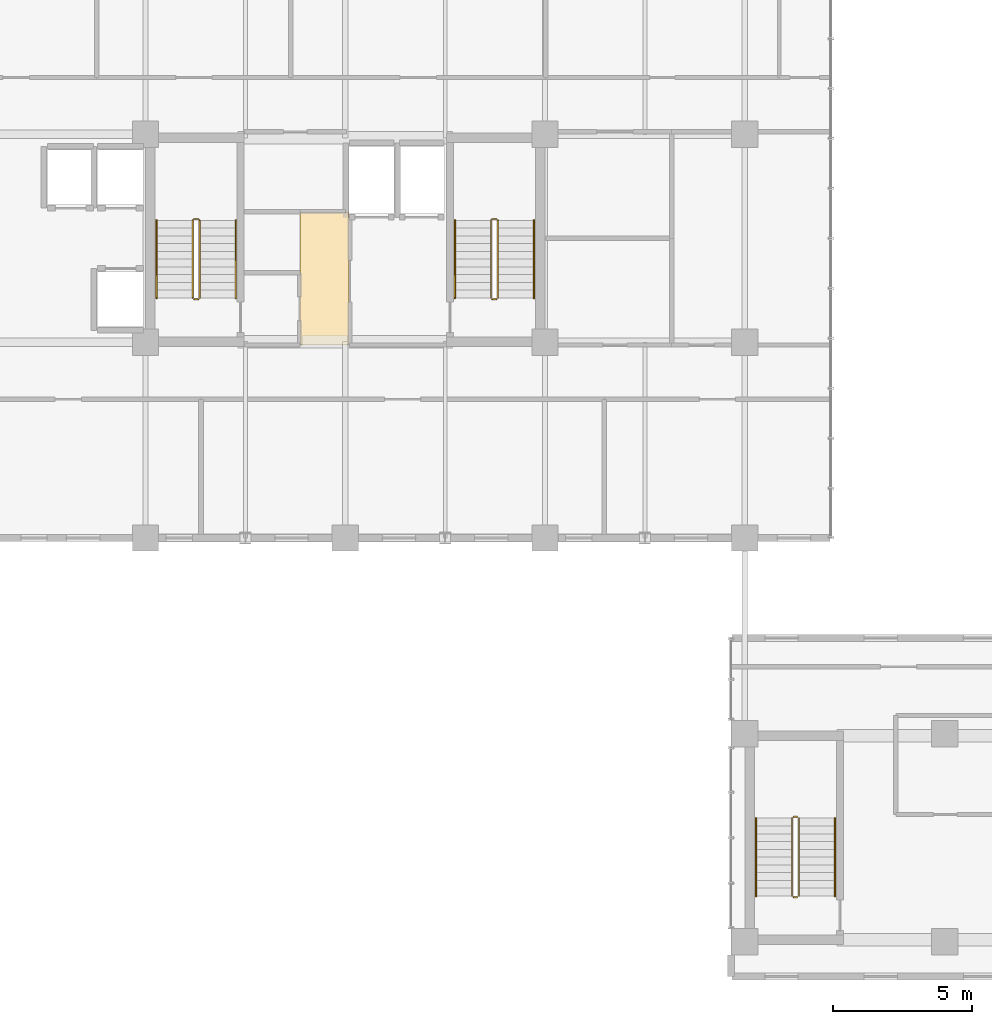
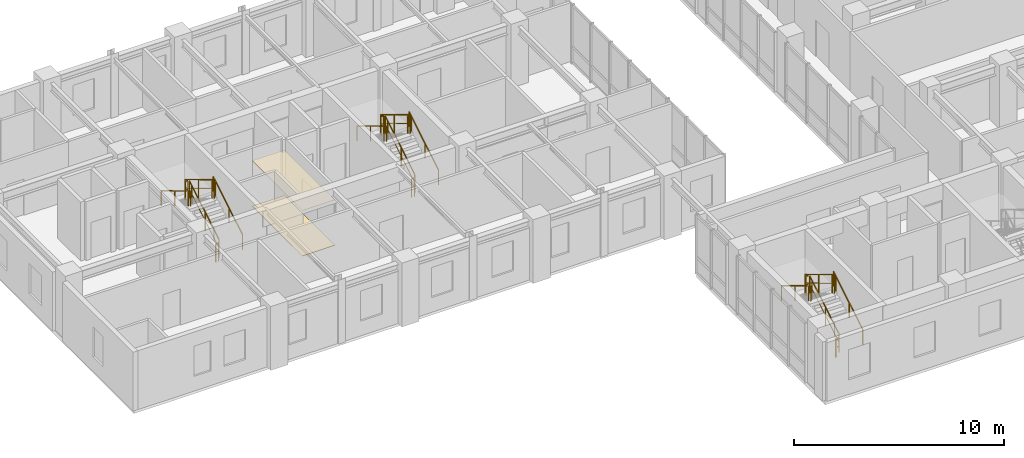
# One storey, part 22 of 24: 18 railings, 2 coverings.
"""IFC4 building model written with IfcOpenShell, lengths in metres."""

from ifc_helpers import new_model, si_unit, direction, frame, origin, origin_2d, place, context, subcontext, project, spatial, rectangle, extrude, source, transform, mapped, material, layer, layer_set, type_object, element, save


model = new_model("IFC4")

# Units and contexts
model_context = context("Model", 3, precision=1e-05, world=origin(), true_north=direction((0.0, 1.0)))
body_context = subcontext(model_context, "Body", "Model", "MODEL_VIEW")
ifc_project = project(units=[si_unit("LENGTHUNIT", "METRE"), si_unit("AREAUNIT", "SQUARE_METRE"), si_unit("VOLUMEUNIT", "CUBIC_METRE"), si_unit("PLANEANGLEUNIT", "RADIAN"), si_unit("MASSUNIT", "GRAM", prefix="KILO")], contexts=[model_context])

# Site, building, storey
site_placement = place(None, origin())
site = spatial("IfcSite", under=ifc_project, at=site_placement, CompositionType="ELEMENT")
building_placement = place(site_placement, origin())
building = spatial("IfcBuilding", under=site, at=building_placement, Name="Kaliganga Portal Commons", CompositionType="ELEMENT")
storey_placement = place(building_placement, frame((0.0, 0.0, 238.800048828125)))
storey = spatial("IfcBuildingStorey", under=building, at=storey_placement, Name="L61", CompositionType="ELEMENT", Elevation=238.800048828125)

# Railings
ifc_material_1 = material(Name="Galvanized Painted Steel Balustrade", Category="steel")
railing_type_1 = type_object("IfcRailingType", Name="RLG-STAIR-GRD", PredefinedType="GUARDRAIL", material=ifc_material_1)
railing_1_placement = place(storey_placement, frame((16.35009765625, 30.25, 0.168212890625)))
element("IfcRailing", 1, at=railing_1_placement, inside=storey, type_object=railing_type_1, Name="L61 ST-A1 stair guard 1", PredefinedType="GUARDRAIL", context=body_context, shape_type="SweptSolid", body=[
    extrude(rectangle(XDim=0.048095703125, YDim=0.048095703125, at=origin_2d()), frame((0.0, 0.0, 1.072021484375), z_axis=(0.0, 0.857275202839, 0.514858452973), x_axis=(-1.0, 0.0, 0.0)), (0.0, 0.0, 1.0), 3.26611328125),
    extrude(rectangle(XDim=0.028076171875, YDim=0.028076171875, at=origin_2d()), frame((0.0, 0.0, 0.572021484375), z_axis=(0.0, 0.857275202839, 0.514858452973), x_axis=(-1.0, 0.0, 0.0)), (0.0, 0.0, 1.0), 3.26611328125),
    extrude(rectangle(XDim=0.0419921875, YDim=0.0419921875, at=origin_2d()), origin(), (0.0, 0.0, 1.0), 1.052001953125),
    extrude(rectangle(XDim=0.0419921875, YDim=0.0419921875, at=origin_2d()), frame((0.0, 1.285888671875, 0.772216796875)), (0.0, 0.0, 1.0), 1.052001953125),
    extrude(rectangle(XDim=0.0419921875, YDim=0.0419921875, at=origin_2d()), frame((0.0, 2.57177734375, 1.544677734375)), (0.0, 0.0, 1.0), 1.052001953125),
    extrude(rectangle(XDim=0.0419921875, YDim=0.0419921875, at=origin_2d()), frame((0.0, 2.800048828125, 1.681640625)), (0.0, 0.0, 1.0), 1.052001953125),
])
railing_2_placement = place(storey_placement, frame((16.300048828125, 33.10009765625, 1.849853515625)))
element("IfcRailing", 2, at=railing_2_placement, inside=storey, type_object=railing_type_1, Name="L61 ST-A1 stair guard 2", PredefinedType="GUARDRAIL", context=body_context, shape_type="SweptSolid", body=[
    extrude(rectangle(XDim=0.048095703125, YDim=0.048095703125, at=origin_2d()), frame((0.0, 0.0, 1.076171875), z_axis=(-1.0, 0.0, 0.0), x_axis=(0.0, -1.0, 0.0)), (0.0, 0.0, 1.0), 0.150146484375),
    extrude(rectangle(XDim=0.028076171875, YDim=0.028076171875, at=origin_2d()), frame((0.0, 0.0, 0.572021484375), z_axis=(-1.0, 0.0, 0.0), x_axis=(0.0, -1.0, 0.0)), (0.0, 0.0, 1.0), 0.150146484375),
    extrude(rectangle(XDim=0.0419921875, YDim=0.0419921875, at=origin_2d()), origin(), (0.0, 0.0, 1.0), 1.052001953125),
    extrude(rectangle(XDim=0.0419921875, YDim=0.0419921875, at=origin_2d()), frame((-0.150146484375, 0.0, 0.0)), (0.0, 0.0, 1.0), 1.052001953125),
])
railing_3_placement = place(storey_placement, frame((16.10009765625, 33.050048828125, 2.01806640625)))
element("IfcRailing", 3, at=railing_3_placement, inside=storey, type_object=railing_type_1, Name="L61 ST-A1 stair guard 3", PredefinedType="GUARDRAIL", context=body_context, shape_type="SweptSolid", body=[
    extrude(rectangle(XDim=0.048095703125, YDim=0.048095703125, at=origin_2d()), frame((0.0, 0.0, 1.072021484375), z_axis=(0.0, -0.857242210791, 0.514913383045), x_axis=(1.0, 0.0, 0.0)), (0.0, 0.0, 1.0), 3.266357421875),
    extrude(rectangle(XDim=0.028076171875, YDim=0.028076171875, at=origin_2d()), frame((0.0, 0.0, 0.572021484375), z_axis=(0.0, -0.857242210791, 0.514913383045), x_axis=(1.0, 0.0, 0.0)), (0.0, 0.0, 1.0), 3.266357421875),
    extrude(rectangle(XDim=0.0419921875, YDim=0.0419921875, at=origin_2d()), origin(), (0.0, 0.0, 1.0), 1.052001953125),
    extrude(rectangle(XDim=0.0419921875, YDim=0.0419921875, at=origin_2d()), frame((0.0, -1.285888671875, 0.7724609375)), (0.0, 0.0, 1.0), 1.052001953125),
    extrude(rectangle(XDim=0.0419921875, YDim=0.0419921875, at=origin_2d()), frame((0.0, -2.57177734375, 1.544677734375)), (0.0, 0.0, 1.0), 1.052001953125),
    extrude(rectangle(XDim=0.0419921875, YDim=0.0419921875, at=origin_2d()), frame((0.0, -2.800048828125, 1.681884765625)), (0.0, 0.0, 1.0), 1.052001953125),
])
railing_4_placement = place(storey_placement, frame((16.300048828125, 30.199951171875, 0.0)))
element("IfcRailing", 4, at=railing_4_placement, inside=storey, type_object=railing_type_1, Name="L61 ST-A1 stair guard 4", PredefinedType="GUARDRAIL", context=body_context, shape_type="SweptSolid", body=[
    extrude(rectangle(XDim=0.048095703125, YDim=0.048095703125, at=origin_2d()), frame((0.0, 0.0, 1.076171875), z_axis=(-1.0, 0.0, 0.0), x_axis=(0.0, -1.0, 0.0)), (0.0, 0.0, 1.0), 0.150146484375),
    extrude(rectangle(XDim=0.028076171875, YDim=0.028076171875, at=origin_2d()), frame((0.0, 0.0, 0.572021484375), z_axis=(-1.0, 0.0, 0.0), x_axis=(0.0, -1.0, 0.0)), (0.0, 0.0, 1.0), 0.150146484375),
    extrude(rectangle(XDim=0.0419921875, YDim=0.0419921875, at=origin_2d()), origin(), (0.0, 0.0, 1.0), 1.052001953125),
    extrude(rectangle(XDim=0.0419921875, YDim=0.0419921875, at=origin_2d()), frame((-0.150146484375, 0.0, 0.0)), (0.0, 0.0, 1.0), 1.052001953125),
])
railing_5_placement = place(storey_placement, frame((27.10009765625, 30.25, 0.168212890625)))
element("IfcRailing", 5, at=railing_5_placement, inside=storey, type_object=railing_type_1, Name="L61 ST-A2 stair guard 1", PredefinedType="GUARDRAIL", context=body_context, shape_type="SweptSolid", body=[
    extrude(rectangle(XDim=0.048095703125, YDim=0.048095703125, at=origin_2d()), frame((0.0, 0.0, 1.072021484375), z_axis=(0.0, 0.857275202839, 0.514858452973), x_axis=(-1.0, 0.0, 0.0)), (0.0, 0.0, 1.0), 3.26611328125),
    extrude(rectangle(XDim=0.028076171875, YDim=0.028076171875, at=origin_2d()), frame((0.0, 0.0, 0.572021484375), z_axis=(0.0, 0.857275202839, 0.514858452973), x_axis=(-1.0, 0.0, 0.0)), (0.0, 0.0, 1.0), 3.26611328125),
    extrude(rectangle(XDim=0.0419921875, YDim=0.0419921875, at=origin_2d()), origin(), (0.0, 0.0, 1.0), 1.052001953125),
    extrude(rectangle(XDim=0.0419921875, YDim=0.0419921875, at=origin_2d()), frame((0.0, 1.285888671875, 0.772216796875)), (0.0, 0.0, 1.0), 1.052001953125),
    extrude(rectangle(XDim=0.0419921875, YDim=0.0419921875, at=origin_2d()), frame((0.0, 2.57177734375, 1.544677734375)), (0.0, 0.0, 1.0), 1.052001953125),
    extrude(rectangle(XDim=0.0419921875, YDim=0.0419921875, at=origin_2d()), frame((0.0, 2.800048828125, 1.681640625)), (0.0, 0.0, 1.0), 1.052001953125),
])
railing_6_placement = place(storey_placement, frame((27.050048828125, 33.10009765625, 1.849853515625)))
element("IfcRailing", 6, at=railing_6_placement, inside=storey, type_object=railing_type_1, Name="L61 ST-A2 stair guard 2", PredefinedType="GUARDRAIL", context=body_context, shape_type="SweptSolid", body=[
    extrude(rectangle(XDim=0.048095703125, YDim=0.048095703125, at=origin_2d()), frame((0.0, 0.0, 1.076171875), z_axis=(-1.0, 0.0, 0.0), x_axis=(0.0, -1.0, 0.0)), (0.0, 0.0, 1.0), 0.150146484375),
    extrude(rectangle(XDim=0.028076171875, YDim=0.028076171875, at=origin_2d()), frame((0.0, 0.0, 0.572021484375), z_axis=(-1.0, 0.0, 0.0), x_axis=(0.0, -1.0, 0.0)), (0.0, 0.0, 1.0), 0.150146484375),
    extrude(rectangle(XDim=0.0419921875, YDim=0.0419921875, at=origin_2d()), origin(), (0.0, 0.0, 1.0), 1.052001953125),
    extrude(rectangle(XDim=0.0419921875, YDim=0.0419921875, at=origin_2d()), frame((-0.150146484375, 0.0, 0.0)), (0.0, 0.0, 1.0), 1.052001953125),
])
railing_7_placement = place(storey_placement, frame((26.85009765625, 33.050048828125, 2.01806640625)))
element("IfcRailing", 7, at=railing_7_placement, inside=storey, type_object=railing_type_1, Name="L61 ST-A2 stair guard 3", PredefinedType="GUARDRAIL", context=body_context, shape_type="SweptSolid", body=[
    extrude(rectangle(XDim=0.048095703125, YDim=0.048095703125, at=origin_2d()), frame((0.0, 0.0, 1.072021484375), z_axis=(0.0, -0.857242210791, 0.514913383045), x_axis=(1.0, 0.0, 0.0)), (0.0, 0.0, 1.0), 3.266357421875),
    extrude(rectangle(XDim=0.028076171875, YDim=0.028076171875, at=origin_2d()), frame((0.0, 0.0, 0.572021484375), z_axis=(0.0, -0.857242210791, 0.514913383045), x_axis=(1.0, 0.0, 0.0)), (0.0, 0.0, 1.0), 3.266357421875),
    extrude(rectangle(XDim=0.0419921875, YDim=0.0419921875, at=origin_2d()), origin(), (0.0, 0.0, 1.0), 1.052001953125),
    extrude(rectangle(XDim=0.0419921875, YDim=0.0419921875, at=origin_2d()), frame((0.0, -1.285888671875, 0.7724609375)), (0.0, 0.0, 1.0), 1.052001953125),
    extrude(rectangle(XDim=0.0419921875, YDim=0.0419921875, at=origin_2d()), frame((0.0, -2.57177734375, 1.544677734375)), (0.0, 0.0, 1.0), 1.052001953125),
    extrude(rectangle(XDim=0.0419921875, YDim=0.0419921875, at=origin_2d()), frame((0.0, -2.800048828125, 1.681884765625)), (0.0, 0.0, 1.0), 1.052001953125),
])
railing_8_placement = place(storey_placement, frame((27.050048828125, 30.199951171875, 0.0)))
element("IfcRailing", 8, at=railing_8_placement, inside=storey, type_object=railing_type_1, Name="L61 ST-A2 stair guard 4", PredefinedType="GUARDRAIL", context=body_context, shape_type="SweptSolid", body=[
    extrude(rectangle(XDim=0.048095703125, YDim=0.048095703125, at=origin_2d()), frame((0.0, 0.0, 1.076171875), z_axis=(-1.0, 0.0, 0.0), x_axis=(0.0, -1.0, 0.0)), (0.0, 0.0, 1.0), 0.150146484375),
    extrude(rectangle(XDim=0.028076171875, YDim=0.028076171875, at=origin_2d()), frame((0.0, 0.0, 0.572021484375), z_axis=(-1.0, 0.0, 0.0), x_axis=(0.0, -1.0, 0.0)), (0.0, 0.0, 1.0), 0.150146484375),
    extrude(rectangle(XDim=0.0419921875, YDim=0.0419921875, at=origin_2d()), origin(), (0.0, 0.0, 1.0), 1.052001953125),
    extrude(rectangle(XDim=0.0419921875, YDim=0.0419921875, at=origin_2d()), frame((-0.150146484375, 0.0, 0.0)), (0.0, 0.0, 1.0), 1.052001953125),
])
railing_9_placement = place(storey_placement, frame((37.949951171875, 8.699951171875, 0.168212890625)))
element("IfcRailing", 9, at=railing_9_placement, inside=storey, type_object=railing_type_1, Name="L61 ST-B1 stair guard 1", PredefinedType="GUARDRAIL", context=body_context, shape_type="SweptSolid", body=[
    extrude(rectangle(XDim=0.048095703125, YDim=0.048095703125, at=origin_2d()), frame((0.0, 0.0, 1.072021484375), z_axis=(0.0, 0.857275202839, 0.514858452973), x_axis=(-1.0, 0.0, 0.0)), (0.0, 0.0, 1.0), 3.26611328125),
    extrude(rectangle(XDim=0.028076171875, YDim=0.028076171875, at=origin_2d()), frame((0.0, 0.0, 0.572021484375), z_axis=(0.0, 0.857275202839, 0.514858452973), x_axis=(-1.0, 0.0, 0.0)), (0.0, 0.0, 1.0), 3.26611328125),
    extrude(rectangle(XDim=0.0419921875, YDim=0.0419921875, at=origin_2d()), origin(), (0.0, 0.0, 1.0), 1.052001953125),
    extrude(rectangle(XDim=0.0419921875, YDim=0.0419921875, at=origin_2d()), frame((0.0, 1.285888671875, 0.772216796875)), (0.0, 0.0, 1.0), 1.052001953125),
    extrude(rectangle(XDim=0.0419921875, YDim=0.0419921875, at=origin_2d()), frame((0.0, 2.57177734375, 1.544677734375)), (0.0, 0.0, 1.0), 1.052001953125),
    extrude(rectangle(XDim=0.0419921875, YDim=0.0419921875, at=origin_2d()), frame((0.0, 2.800048828125, 1.681640625)), (0.0, 0.0, 1.0), 1.052001953125),
])
railing_10_placement = place(storey_placement, frame((37.89990234375, 11.550048828125, 1.849853515625)))
element("IfcRailing", 10, at=railing_10_placement, inside=storey, type_object=railing_type_1, Name="L61 ST-B1 stair guard 2", PredefinedType="GUARDRAIL", context=body_context, shape_type="SweptSolid", body=[
    extrude(rectangle(XDim=0.048095703125, YDim=0.048095703125, at=origin_2d()), frame((0.0, 0.0, 1.076171875), z_axis=(-1.0, 0.0, 0.0), x_axis=(0.0, -1.0, 0.0)), (0.0, 0.0, 1.0), 0.14990234375),
    extrude(rectangle(XDim=0.028076171875, YDim=0.028076171875, at=origin_2d()), frame((0.0, 0.0, 0.572021484375), z_axis=(-1.0, 0.0, 0.0), x_axis=(0.0, -1.0, 0.0)), (0.0, 0.0, 1.0), 0.14990234375),
    extrude(rectangle(XDim=0.0419921875, YDim=0.0419921875, at=origin_2d()), frame((-0.14990234375, 0.0, 0.0)), (0.0, 0.0, 1.0), 1.052001953125),
])
railing_11_placement = place(storey_placement, frame((37.699951171875, 11.5, 2.01806640625)))
element("IfcRailing", 11, at=railing_11_placement, inside=storey, type_object=railing_type_1, Name="L61 ST-B1 stair guard 3", PredefinedType="GUARDRAIL", context=body_context, shape_type="SweptSolid", body=[
    extrude(rectangle(XDim=0.048095703125, YDim=0.048095703125, at=origin_2d()), frame((0.0, 0.0, 1.072021484375), z_axis=(0.0, -0.857242210791, 0.514913383045), x_axis=(1.0, 0.0, 0.0)), (0.0, 0.0, 1.0), 3.266357421875),
    extrude(rectangle(XDim=0.028076171875, YDim=0.028076171875, at=origin_2d()), frame((0.0, 0.0, 0.572021484375), z_axis=(0.0, -0.857242210791, 0.514913383045), x_axis=(1.0, 0.0, 0.0)), (0.0, 0.0, 1.0), 3.266357421875),
    extrude(rectangle(XDim=0.0419921875, YDim=0.0419921875, at=origin_2d()), origin(), (0.0, 0.0, 1.0), 1.052001953125),
    extrude(rectangle(XDim=0.0419921875, YDim=0.0419921875, at=origin_2d()), frame((0.0, -1.285888671875, 0.7724609375)), (0.0, 0.0, 1.0), 1.052001953125),
    extrude(rectangle(XDim=0.0419921875, YDim=0.0419921875, at=origin_2d()), frame((0.0, -2.57177734375, 1.544677734375)), (0.0, 0.0, 1.0), 1.052001953125),
    extrude(rectangle(XDim=0.0419921875, YDim=0.0419921875, at=origin_2d()), frame((0.0, -2.800048828125, 1.681884765625)), (0.0, 0.0, 1.0), 1.052001953125),
])
railing_12_placement = place(storey_placement, frame((37.89990234375, 8.64990234375, 0.0)))
element("IfcRailing", 12, at=railing_12_placement, inside=storey, type_object=railing_type_1, Name="L61 ST-B1 stair guard 4", PredefinedType="GUARDRAIL", context=body_context, shape_type="SweptSolid", body=[
    extrude(rectangle(XDim=0.048095703125, YDim=0.048095703125, at=origin_2d()), frame((0.0, 0.0, 1.076171875), z_axis=(-1.0, 0.0, 0.0), x_axis=(0.0, -1.0, 0.0)), (0.0, 0.0, 1.0), 0.14990234375),
    extrude(rectangle(XDim=0.028076171875, YDim=0.028076171875, at=origin_2d()), frame((0.0, 0.0, 0.572021484375), z_axis=(-1.0, 0.0, 0.0), x_axis=(0.0, -1.0, 0.0)), (0.0, 0.0, 1.0), 0.14990234375),
    extrude(rectangle(XDim=0.0419921875, YDim=0.0419921875, at=origin_2d()), frame((-0.14990234375, 0.0, 0.0)), (0.0, 0.0, 1.0), 1.052001953125),
])
ifc_material_2 = material(Name="Brushed Stainless Steel 316", Category="steel")
railing_type_2 = type_object("IfcRailingType", Name="RLG-STAIR-HR", PredefinedType="HANDRAIL", material=ifc_material_2)
railing_13_placement = place(storey_placement, frame((17.64990234375, 30.25, 0.168212890625)))
element("IfcRailing", 13, at=railing_13_placement, inside=storey, type_object=railing_type_2, Name="L61 ST-A1 stair handrail 1", PredefinedType="HANDRAIL", context=body_context, shape_type="SweptSolid", body=[
    extrude(rectangle(XDim=0.048095703125, YDim=0.048095703125, at=origin_2d()), frame((0.0, 0.0, 0.871826171875), z_axis=(0.0, 0.857275202839, 0.514858452973), x_axis=(-1.0, 0.0, 0.0)), (0.0, 0.0, 1.0), 3.26611328125),
    extrude(rectangle(XDim=0.0419921875, YDim=0.0419921875, at=origin_2d()), origin(), (0.0, 0.0, 1.0), 0.851806640625),
    extrude(rectangle(XDim=0.0419921875, YDim=0.0419921875, at=origin_2d()), frame((0.0, 1.285888671875, 0.772216796875)), (0.0, 0.0, 1.0), 0.851806640625),
    extrude(rectangle(XDim=0.0419921875, YDim=0.0419921875, at=origin_2d()), frame((0.0, 2.57177734375, 1.544677734375)), (0.0, 0.0, 1.0), 0.851806640625),
    extrude(rectangle(XDim=0.0419921875, YDim=0.0419921875, at=origin_2d()), frame((0.0, 2.800048828125, 1.681640625)), (0.0, 0.0, 1.0), 0.851806640625),
])
railing_14_placement = place(storey_placement, frame((14.800048828125, 33.050048828125, 2.01806640625)))
element("IfcRailing", 14, at=railing_14_placement, inside=storey, type_object=railing_type_2, Name="L61 ST-A1 stair handrail 2", PredefinedType="HANDRAIL", context=body_context, shape_type="SweptSolid", body=[
    extrude(rectangle(XDim=0.048095703125, YDim=0.048095703125, at=origin_2d()), frame((0.0, 0.0, 0.871826171875), z_axis=(0.0, -0.857242210791, 0.514913383045), x_axis=(1.0, 0.0, 0.0)), (0.0, 0.0, 1.0), 3.266357421875),
    extrude(rectangle(XDim=0.0419921875, YDim=0.0419921875, at=origin_2d()), origin(), (0.0, 0.0, 1.0), 0.851806640625),
    extrude(rectangle(XDim=0.0419921875, YDim=0.0419921875, at=origin_2d()), frame((0.0, -1.285888671875, 0.7724609375)), (0.0, 0.0, 1.0), 0.851806640625),
    extrude(rectangle(XDim=0.0419921875, YDim=0.0419921875, at=origin_2d()), frame((0.0, -2.57177734375, 1.544677734375)), (0.0, 0.0, 1.0), 0.851806640625),
    extrude(rectangle(XDim=0.0419921875, YDim=0.0419921875, at=origin_2d()), frame((0.0, -2.800048828125, 1.681884765625)), (0.0, 0.0, 1.0), 0.851806640625),
])
railing_15_placement = place(storey_placement, frame((28.39990234375, 30.25, 0.168212890625)))
element("IfcRailing", 15, at=railing_15_placement, inside=storey, type_object=railing_type_2, Name="L61 ST-A2 stair handrail 1", PredefinedType="HANDRAIL", context=body_context, shape_type="SweptSolid", body=[
    extrude(rectangle(XDim=0.048095703125, YDim=0.048095703125, at=origin_2d()), frame((0.0, 0.0, 0.871826171875), z_axis=(0.0, 0.857275202839, 0.514858452973), x_axis=(-1.0, 0.0, 0.0)), (0.0, 0.0, 1.0), 3.26611328125),
    extrude(rectangle(XDim=0.0419921875, YDim=0.0419921875, at=origin_2d()), origin(), (0.0, 0.0, 1.0), 0.851806640625),
    extrude(rectangle(XDim=0.0419921875, YDim=0.0419921875, at=origin_2d()), frame((0.0, 1.285888671875, 0.772216796875)), (0.0, 0.0, 1.0), 0.851806640625),
    extrude(rectangle(XDim=0.0419921875, YDim=0.0419921875, at=origin_2d()), frame((0.0, 2.57177734375, 1.544677734375)), (0.0, 0.0, 1.0), 0.851806640625),
    extrude(rectangle(XDim=0.0419921875, YDim=0.0419921875, at=origin_2d()), frame((0.0, 2.800048828125, 1.681640625)), (0.0, 0.0, 1.0), 0.851806640625),
])
railing_16_placement = place(storey_placement, frame((25.550048828125, 33.050048828125, 2.01806640625)))
element("IfcRailing", 16, at=railing_16_placement, inside=storey, type_object=railing_type_2, Name="L61 ST-A2 stair handrail 2", PredefinedType="HANDRAIL", context=body_context, shape_type="SweptSolid", body=[
    extrude(rectangle(XDim=0.048095703125, YDim=0.048095703125, at=origin_2d()), frame((0.0, 0.0, 0.871826171875), z_axis=(0.0, -0.857242210791, 0.514913383045), x_axis=(1.0, 0.0, 0.0)), (0.0, 0.0, 1.0), 3.266357421875),
    extrude(rectangle(XDim=0.0419921875, YDim=0.0419921875, at=origin_2d()), origin(), (0.0, 0.0, 1.0), 0.851806640625),
    extrude(rectangle(XDim=0.0419921875, YDim=0.0419921875, at=origin_2d()), frame((0.0, -1.285888671875, 0.7724609375)), (0.0, 0.0, 1.0), 0.851806640625),
    extrude(rectangle(XDim=0.0419921875, YDim=0.0419921875, at=origin_2d()), frame((0.0, -2.57177734375, 1.544677734375)), (0.0, 0.0, 1.0), 0.851806640625),
    extrude(rectangle(XDim=0.0419921875, YDim=0.0419921875, at=origin_2d()), frame((0.0, -2.800048828125, 1.681884765625)), (0.0, 0.0, 1.0), 0.851806640625),
])
railing_17_placement = place(storey_placement, frame((39.25, 8.699951171875, 0.168212890625)))
element("IfcRailing", 17, at=railing_17_placement, inside=storey, type_object=railing_type_2, Name="L61 ST-B1 stair handrail 1", PredefinedType="HANDRAIL", context=body_context, shape_type="SweptSolid", body=[
    extrude(rectangle(XDim=0.048095703125, YDim=0.048095703125, at=origin_2d()), frame((0.0, 0.0, 0.871826171875), z_axis=(0.0, 0.857275202839, 0.514858452973), x_axis=(-1.0, 0.0, 0.0)), (0.0, 0.0, 1.0), 3.26611328125),
    extrude(rectangle(XDim=0.0419921875, YDim=0.0419921875, at=origin_2d()), origin(), (0.0, 0.0, 1.0), 0.851806640625),
    extrude(rectangle(XDim=0.0419921875, YDim=0.0419921875, at=origin_2d()), frame((0.0, 1.285888671875, 0.772216796875)), (0.0, 0.0, 1.0), 0.851806640625),
    extrude(rectangle(XDim=0.0419921875, YDim=0.0419921875, at=origin_2d()), frame((0.0, 2.57177734375, 1.544677734375)), (0.0, 0.0, 1.0), 0.851806640625),
    extrude(rectangle(XDim=0.0419921875, YDim=0.0419921875, at=origin_2d()), frame((0.0, 2.800048828125, 1.681640625)), (0.0, 0.0, 1.0), 0.851806640625),
])
railing_18_placement = place(storey_placement, frame((36.39990234375, 11.5, 2.01806640625)))
element("IfcRailing", 18, at=railing_18_placement, inside=storey, type_object=railing_type_2, Name="L61 ST-B1 stair handrail 2", PredefinedType="HANDRAIL", context=body_context, shape_type="SweptSolid", body=[
    extrude(rectangle(XDim=0.048095703125, YDim=0.048095703125, at=origin_2d()), frame((0.0, 0.0, 0.871826171875), z_axis=(0.0, -0.857242210791, 0.514913383045), x_axis=(1.0, 0.0, 0.0)), (0.0, 0.0, 1.0), 3.266357421875),
    extrude(rectangle(XDim=0.0419921875, YDim=0.0419921875, at=origin_2d()), origin(), (0.0, 0.0, 1.0), 0.851806640625),
    extrude(rectangle(XDim=0.0419921875, YDim=0.0419921875, at=origin_2d()), frame((0.0, -1.285888671875, 0.7724609375)), (0.0, 0.0, 1.0), 0.851806640625),
    extrude(rectangle(XDim=0.0419921875, YDim=0.0419921875, at=origin_2d()), frame((0.0, -2.57177734375, 1.544677734375)), (0.0, 0.0, 1.0), 0.851806640625),
    extrude(rectangle(XDim=0.0419921875, YDim=0.0419921875, at=origin_2d()), frame((0.0, -2.800048828125, 1.681884765625)), (0.0, 0.0, 1.0), 0.851806640625),
])

# Coverings
ifc_material_3 = material(Name="Acoustic Micro-Perforated Gypsum Ceiling", Category="gypsum")
ifc_layer_1 = layer(ifc_material_3, 0.02001953125)
ifc_layer_set_1 = layer_set([ifc_layer_1], Name="Acoustic Micro-Perforated Gypsum Ceiling")
covering_type_1 = type_object("IfcCoveringType", Name="COV-CEIL-GYP", PredefinedType="CEILING", material=ifc_layer_set_1)
shared_shape_1 = source(origin(), body_context, "Body", "SweptSolid", [
    extrude(rectangle(XDim=1.780029296875, YDim=4.780029296875, at=origin_2d()), origin(), (0.0, 0.0, 1.0), 0.02001953125),
])
covering_1_placement = place(storey_placement, frame((20.85009765625, 30.949951171875, 2.639892578125), z_axis=(0.0, 0.0, 1.0), x_axis=(1.0, 0.0, 0.0)))
element("IfcCovering", 19, at=covering_1_placement, inside=storey, type_object=covering_type_1, Name="Acoustic Ceiling L61 PLOB_A", PredefinedType="CEILING", context=body_context, shape_type="MappedRepresentation", body=[
    mapped(shared_shape_1, transform((0.0, 0.0, 0.0), x_axis=(1.0, 0.0, 0.0), y_axis=(0.0, 1.0, 0.0), z_axis=(0.0, 0.0, 1.0), scale=1.0)),
])
ifc_material_4 = material(Name="Polished Sylhet Stone Terrazzo Flooring", Category="masonry")
ifc_layer_2 = layer(ifc_material_4, 0.02490234375)
ifc_layer_set_2 = layer_set([ifc_layer_2], Name="Polished Sylhet Stone Terrazzo Flooring")
covering_type_2 = type_object("IfcCoveringType", Name="COV-FLR-TERRAZZO", PredefinedType="FLOORING", material=ifc_layer_set_2)
shared_shape_2 = source(origin(), body_context, "Body", "SweptSolid", [
    extrude(rectangle(XDim=1.780029296875, YDim=4.780029296875, at=origin_2d()), origin(), (0.0, 0.0, 1.0), 0.02490234375),
])
covering_2_placement = place(storey_placement, frame((20.85009765625, 30.949951171875, 0.00048828125), z_axis=(0.0, 0.0, 1.0), x_axis=(1.0, 0.0, 0.0)))
element("IfcCovering", 20, at=covering_2_placement, inside=storey, type_object=covering_type_2, Name="Terrazzo Flooring L61 PLOB_A", PredefinedType="FLOORING", context=body_context, shape_type="MappedRepresentation", body=[
    mapped(shared_shape_2, transform((0.0, 0.0, 0.0), x_axis=(1.0, 0.0, 0.0), y_axis=(0.0, 1.0, 0.0), z_axis=(0.0, 0.0, 1.0), scale=1.0)),
])

save(model, "model.ifc")
